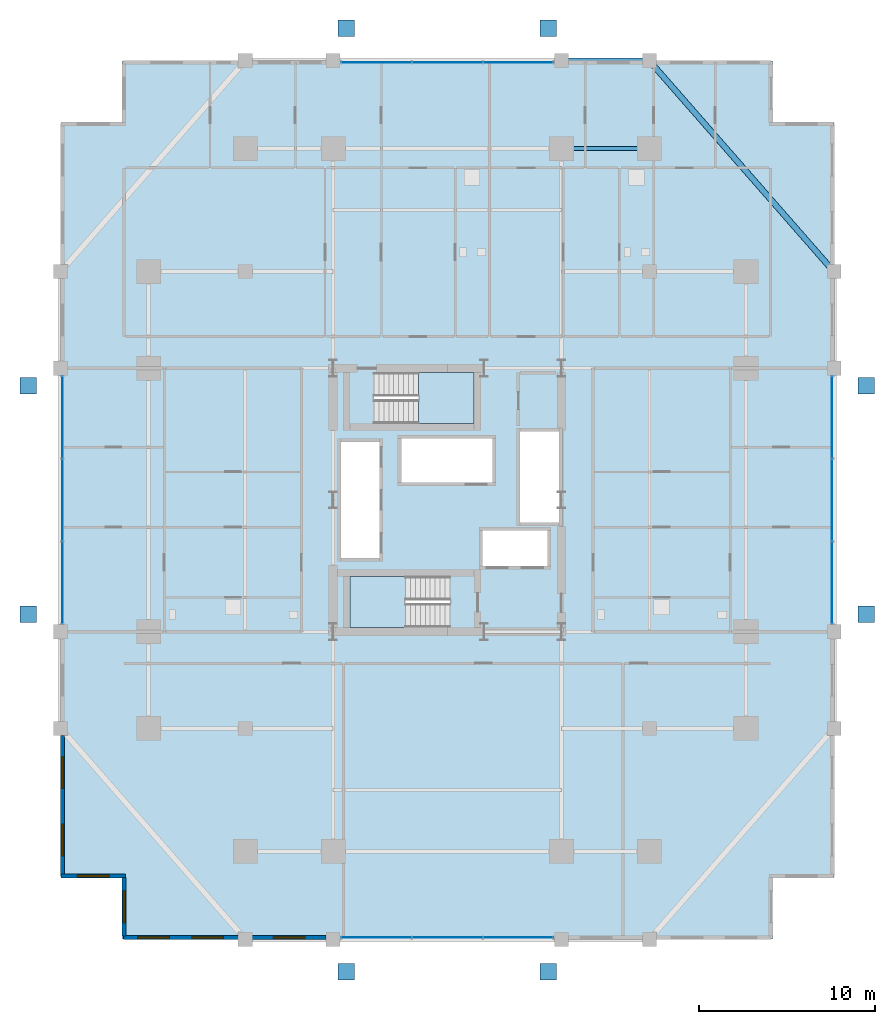
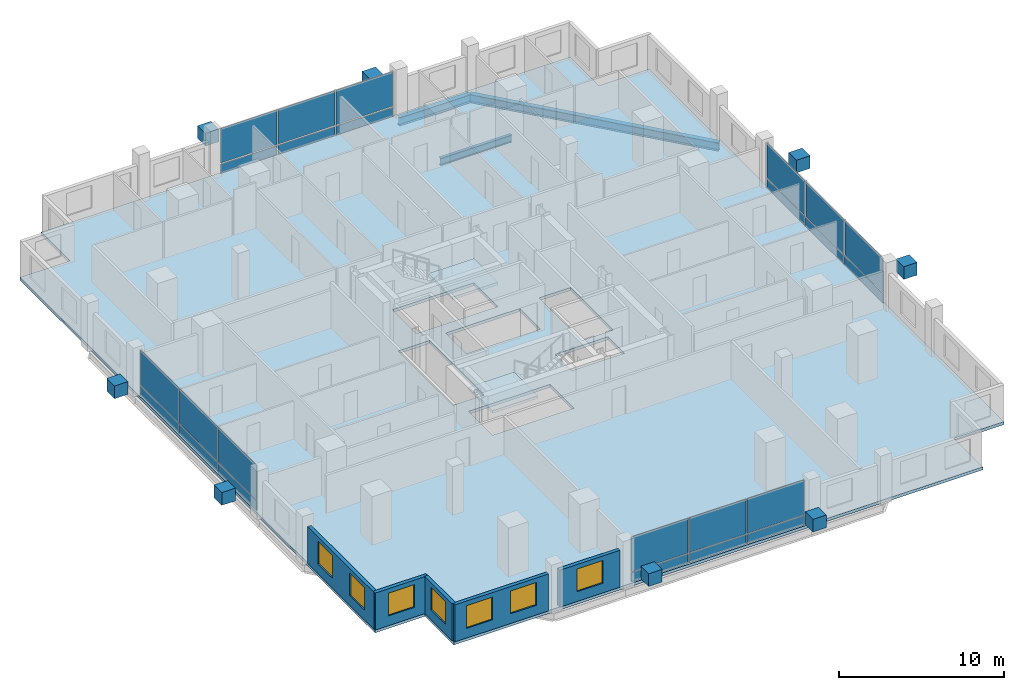
# One storey, part 16 of 23: 32 plates, 7 windows, 5 walls, 3 beams, 3 slabs, 7 openings, 6 elements without a shape of their own.
"""IFC4 building model written with IfcOpenShell, lengths in metres."""

from ifc_helpers import new_model, si_unit, direction, frame, frame_2d, origin, origin_2d, place, context, subcontext, project, spatial, polyline, rectangle, i_section, outline, extrude, material, layer, layer_set, material_profile, profile_set, type_object, element, fill, aggregate, save


model = new_model("IFC4")

# Units and contexts
model_context = context("Model", 3, precision=1e-05, world=origin(), true_north=direction((0.0, 1.0)))
body_context = subcontext(model_context, "Body", "Model", "MODEL_VIEW")
ifc_project = project(units=[si_unit("LENGTHUNIT", "METRE"), si_unit("AREAUNIT", "SQUARE_METRE"), si_unit("VOLUMEUNIT", "CUBIC_METRE"), si_unit("PLANEANGLEUNIT", "RADIAN"), si_unit("MASSUNIT", "GRAM", prefix="KILO")], contexts=[model_context])

# Site, building, storey
site_placement = place(None, origin())
site = spatial("IfcSite", under=ifc_project, at=site_placement, CompositionType="ELEMENT")
building_placement = place(site_placement, origin())
building = spatial("IfcBuilding", under=site, at=building_placement, Name="Barlavira Tower and Art Museum", CompositionType="ELEMENT")
storey_placement = place(building_placement, frame((0.0, 0.0, 64.800048828125)))
storey = spatial("IfcBuildingStorey", under=building, at=storey_placement, Name="L15", CompositionType="ELEMENT", Elevation=64.800048828125)

# Beams
ifc_material_1 = material(Name="Steel S355", Category="steel")
ifc_material_profile_1 = material_profile(ifc_material_1, i_section(OverallWidth=0.327880859375, OverallDepth=0.62890625, WebThickness=0.013916015625, FlangeThickness=0.021484375, at=origin_2d()), Name="W610x174.0")
ifc_profile_set_1 = profile_set([ifc_material_profile_1], Name="Steel S355")
beam_type_1 = type_object("IfcBeamType", Name="Perimeter Spandrel Edge Beam W610x174 Steel S355", PredefinedType="SPANDREL", material=ifc_profile_set_1)
beam_1_placement = place(storey_placement, frame((22.0, 13.0, -0.53466796875), z_axis=(-0.658504607869, 0.752576694707, 0.0), x_axis=(-0.752576694707, -0.658504607869, 0.0)))
element("IfcBeam", 1, at=beam_1_placement, inside=storey, type_object=beam_type_1, Name="L15 Spandrel 8", PredefinedType="SPANDREL", context=body_context, shape_type="SweptSolid", body=[
    extrude(i_section(OverallWidth=0.327880859375, OverallDepth=0.62890625, WebThickness=0.013916015625, FlangeThickness=0.021484375, at=origin_2d()), origin(), (0.0, 0.0, 1.0), 15.9453125),
])
beam_2_placement = place(storey_placement, frame((6.5, 25.0, -0.53466796875), z_axis=(1.0, 0.0, 0.0), x_axis=(0.0, 1.0, 0.0)))
element("IfcBeam", 2, at=beam_2_placement, inside=storey, type_object=beam_type_1, Name="L15 Spandrel 9", PredefinedType="SPANDREL", context=body_context, shape_type="SweptSolid", body=[
    extrude(i_section(OverallWidth=0.327880859375, OverallDepth=0.62890625, WebThickness=0.013916015625, FlangeThickness=0.021484375, at=origin_2d()), origin(), (0.0, 0.0, 1.0), 5.0),
])
ifc_material_profile_2 = material_profile(ifc_material_1, i_section(OverallWidth=0.214111328125, OverallDepth=0.549072265625, WebThickness=0.0146484375, FlangeThickness=0.023681640625, at=origin_2d()), Name="W530x138.0")
ifc_profile_set_2 = profile_set([ifc_material_profile_2], Name="Steel S355")
beam_type_2 = type_object("IfcBeamType", Name="Zone 1 Primary Floor Girder W530x138 Steel S355", PredefinedType="BEAM", material=ifc_profile_set_2)
beam_3_placement = place(storey_placement, frame((6.5, 20.0, -0.49462890625), z_axis=(1.0, 0.0, 0.0), x_axis=(0.0, 1.0, 0.0)))
element("IfcBeam", 3, at=beam_3_placement, inside=storey, type_object=beam_type_2, Name="L15 Girder M-N3", PredefinedType="BEAM", context=body_context, shape_type="SweptSolid", body=[
    extrude(i_section(OverallWidth=0.214111328125, OverallDepth=0.549072265625, WebThickness=0.0146484375, FlangeThickness=0.023681640625, at=origin_2d()), origin(), (0.0, 0.0, 1.0), 5.0),
])

# Curtain wall, plates
ifc_material_2 = material(Name="Low-iron coastal laminated glass", Category="glass")
ifc_layer_1 = layer(ifc_material_2, 0.179931640625, Name="Low-iron coastal laminated glass")
ifc_layer_set_1 = layer_set([ifc_layer_1], Name="Low-iron coastal laminated glass")
curtain_wall_type = type_object("IfcCurtainWallType", Name="Pale-Metal Unitised Curtain Wall Zone 1", PredefinedType="NOTDEFINED", material=ifc_layer_set_1)
curtain_wall_1_placement = place(storey_placement, origin())
curtain_wall_1 = element("IfcCurtainWall", 4, at=curtain_wall_1_placement, inside=storey, type_object=curtain_wall_type, Name="L15 Curtain Wall CW1-L15-S-B3", PredefinedType="NOTDEFINED")
ifc_material_3 = material(Name="Pale anodised aluminium", Category="aluminium")
ifc_layer_2 = layer(ifc_material_3, 0.044921875, Name="Pale anodised aluminium")
ifc_layer_set_2 = layer_set([ifc_layer_2], Name="Pale anodised aluminium")
plate_type_1 = type_object("IfcPlateType", Name="Curtain Wall Pale-Metal Spandrel Panel 45", PredefinedType="CURTAIN_PANEL", material=ifc_layer_set_2)
plate_1_placement = place(storey_placement, frame((-4.05322265625, -24.89990234375, 0.0400390625), z_axis=(0.0, 0.0, 1.0), x_axis=(1.0, 0.0, 0.0)))
plate_1 = element("IfcPlate", 5, at=plate_1_placement, type_object=plate_type_1, Name="CW1-L15-S-B3 Spandrel Panel 0", PredefinedType="CURTAIN_PANEL", context=body_context, shape_type="SweptSolid", body=[
    extrude(rectangle(XDim=3.953369140625, YDim=0.044921875, at=origin_2d()), origin(), (0.0, 0.0, 1.0), 0.6640625),
])
plate_2_placement = place(storey_placement, frame((0.0, -24.89990234375, 0.0400390625), z_axis=(0.0, 0.0, 1.0), x_axis=(1.0, 0.0, 0.0)))
plate_2 = element("IfcPlate", 6, at=plate_2_placement, type_object=plate_type_1, Name="CW1-L15-S-B3 Spandrel Panel 1", PredefinedType="CURTAIN_PANEL", context=body_context, shape_type="SweptSolid", body=[
    extrude(rectangle(XDim=3.953369140625, YDim=0.044921875, at=origin_2d()), origin(), (0.0, 0.0, 1.0), 0.6640625),
])
plate_3_placement = place(storey_placement, frame((4.05322265625, -24.89990234375, 0.0400390625), z_axis=(0.0, 0.0, 1.0), x_axis=(1.0, 0.0, 0.0)))
plate_3 = element("IfcPlate", 7, at=plate_3_placement, type_object=plate_type_1, Name="CW1-L15-S-B3 Spandrel Panel 2", PredefinedType="CURTAIN_PANEL", context=body_context, shape_type="SweptSolid", body=[
    extrude(rectangle(XDim=3.953369140625, YDim=0.044921875, at=origin_2d()), origin(), (0.0, 0.0, 1.0), 0.6640625),
])

curtain_wall_2_placement = place(storey_placement, origin())
curtain_wall_2 = element("IfcCurtainWall", 8, at=curtain_wall_2_placement, inside=storey, type_object=curtain_wall_type, Name="L15 Curtain Wall CW1-L15-N-B3", PredefinedType="NOTDEFINED")
plate_4_placement = place(storey_placement, frame((4.05322265625, 24.89990234375, 0.0400390625), z_axis=(0.0, 0.0, 1.0), x_axis=(-1.0, 0.0, 0.0)))
plate_4 = element("IfcPlate", 9, at=plate_4_placement, type_object=plate_type_1, Name="CW1-L15-N-B3 Spandrel Panel 0", PredefinedType="CURTAIN_PANEL", context=body_context, shape_type="SweptSolid", body=[
    extrude(rectangle(XDim=3.953369140625, YDim=0.044921875, at=origin_2d()), origin(), (0.0, 0.0, 1.0), 0.6640625),
])
plate_5_placement = place(storey_placement, frame((0.0, 24.89990234375, 0.0400390625), z_axis=(0.0, 0.0, 1.0), x_axis=(-1.0, 0.0, 0.0)))
plate_5 = element("IfcPlate", 10, at=plate_5_placement, type_object=plate_type_1, Name="CW1-L15-N-B3 Spandrel Panel 1", PredefinedType="CURTAIN_PANEL", context=body_context, shape_type="SweptSolid", body=[
    extrude(rectangle(XDim=3.953369140625, YDim=0.044921875, at=origin_2d()), origin(), (0.0, 0.0, 1.0), 0.6640625),
])
plate_6_placement = place(storey_placement, frame((-4.05322265625, 24.89990234375, 0.0400390625), z_axis=(0.0, 0.0, 1.0), x_axis=(-1.0, 0.0, 0.0)))
plate_6 = element("IfcPlate", 11, at=plate_6_placement, type_object=plate_type_1, Name="CW1-L15-N-B3 Spandrel Panel 2", PredefinedType="CURTAIN_PANEL", context=body_context, shape_type="SweptSolid", body=[
    extrude(rectangle(XDim=3.953369140625, YDim=0.044921875, at=origin_2d()), origin(), (0.0, 0.0, 1.0), 0.6640625),
])

curtain_wall_3_placement = place(storey_placement, origin())
curtain_wall_3 = element("IfcCurtainWall", 12, at=curtain_wall_3_placement, inside=storey, type_object=curtain_wall_type, Name="L15 Curtain Wall CW1-L15-W-B3", PredefinedType="NOTDEFINED")
plate_7_placement = place(storey_placement, frame((-21.89990234375, 4.719970703125, 0.0400390625), z_axis=(0.0, 0.0, 1.0), x_axis=(0.0, -1.0, 0.0)))
plate_7 = element("IfcPlate", 13, at=plate_7_placement, type_object=plate_type_1, Name="CW1-L15-W-B3 Spandrel Panel 0", PredefinedType="CURTAIN_PANEL", context=body_context, shape_type="SweptSolid", body=[
    extrude(rectangle(XDim=4.6201171875, YDim=0.044921875, at=origin_2d()), origin(), (0.0, 0.0, 1.0), 0.6640625),
])
plate_8_placement = place(storey_placement, frame((-21.89990234375, 0.0, 0.0400390625), z_axis=(0.0, 0.0, 1.0), x_axis=(0.0, -1.0, 0.0)))
plate_8 = element("IfcPlate", 14, at=plate_8_placement, type_object=plate_type_1, Name="CW1-L15-W-B3 Spandrel Panel 1", PredefinedType="CURTAIN_PANEL", context=body_context, shape_type="SweptSolid", body=[
    extrude(rectangle(XDim=4.6201171875, YDim=0.044921875, at=origin_2d()), origin(), (0.0, 0.0, 1.0), 0.6640625),
])
plate_9_placement = place(storey_placement, frame((-21.89990234375, -4.719970703125, 0.0400390625), z_axis=(0.0, 0.0, 1.0), x_axis=(0.0, -1.0, 0.0)))
plate_9 = element("IfcPlate", 15, at=plate_9_placement, type_object=plate_type_1, Name="CW1-L15-W-B3 Spandrel Panel 2", PredefinedType="CURTAIN_PANEL", context=body_context, shape_type="SweptSolid", body=[
    extrude(rectangle(XDim=4.6201171875, YDim=0.044921875, at=origin_2d()), origin(), (0.0, 0.0, 1.0), 0.6640625),
])

curtain_wall_4_placement = place(storey_placement, origin())
curtain_wall_4 = element("IfcCurtainWall", 16, at=curtain_wall_4_placement, inside=storey, type_object=curtain_wall_type, Name="L15 Curtain Wall CW1-L15-E-B3", PredefinedType="NOTDEFINED")
plate_10_placement = place(storey_placement, frame((21.89990234375, -4.719970703125, 0.0400390625), z_axis=(0.0, 0.0, 1.0), x_axis=(0.0, 1.0, 0.0)))
plate_10 = element("IfcPlate", 17, at=plate_10_placement, type_object=plate_type_1, Name="CW1-L15-E-B3 Spandrel Panel 0", PredefinedType="CURTAIN_PANEL", context=body_context, shape_type="SweptSolid", body=[
    extrude(rectangle(XDim=4.6201171875, YDim=0.044921875, at=origin_2d()), origin(), (0.0, 0.0, 1.0), 0.6640625),
])
plate_11_placement = place(storey_placement, frame((21.89990234375, 0.0, 0.0400390625), z_axis=(0.0, 0.0, 1.0), x_axis=(0.0, 1.0, 0.0)))
plate_11 = element("IfcPlate", 18, at=plate_11_placement, type_object=plate_type_1, Name="CW1-L15-E-B3 Spandrel Panel 1", PredefinedType="CURTAIN_PANEL", context=body_context, shape_type="SweptSolid", body=[
    extrude(rectangle(XDim=4.6201171875, YDim=0.044921875, at=origin_2d()), origin(), (0.0, 0.0, 1.0), 0.6640625),
])
plate_12_placement = place(storey_placement, frame((21.89990234375, 4.719970703125, 0.0400390625), z_axis=(0.0, 0.0, 1.0), x_axis=(0.0, 1.0, 0.0)))
plate_12 = element("IfcPlate", 19, at=plate_12_placement, type_object=plate_type_1, Name="CW1-L15-E-B3 Spandrel Panel 2", PredefinedType="CURTAIN_PANEL", context=body_context, shape_type="SweptSolid", body=[
    extrude(rectangle(XDim=4.6201171875, YDim=0.044921875, at=origin_2d()), origin(), (0.0, 0.0, 1.0), 0.6640625),
])

# Plate
ifc_layer_3 = layer(ifc_material_2, 0.028076171875, Name="Low-iron coastal laminated glass")
ifc_layer_set_3 = layer_set([ifc_layer_3], Name="Low-iron coastal laminated glass")
plate_type_2 = type_object("IfcPlateType", Name="Curtain Wall Vision Glazing Panel 28", PredefinedType="CURTAIN_PANEL", material=ifc_layer_set_3)
plate_13_placement = place(storey_placement, frame((-4.05322265625, -24.89990234375, 0.7841796875), z_axis=(0.0, 0.0, 1.0), x_axis=(1.0, 0.0, 0.0)))
plate_13 = element("IfcPlate", 20, at=plate_13_placement, type_object=plate_type_2, Name="CW1-L15-S-B3 Vision Glass Panel 0", PredefinedType="CURTAIN_PANEL", context=body_context, shape_type="SweptSolid", body=[
    extrude(rectangle(XDim=3.953369140625, YDim=0.028076171875, at=origin_2d()), origin(), (0.0, 0.0, 1.0), 2.555908203125),
])

plate_14_placement = place(storey_placement, frame((0.0, -24.89990234375, 0.7841796875), z_axis=(0.0, 0.0, 1.0), x_axis=(1.0, 0.0, 0.0)))
plate_14 = element("IfcPlate", 21, at=plate_14_placement, type_object=plate_type_2, Name="CW1-L15-S-B3 Vision Glass Panel 1", PredefinedType="CURTAIN_PANEL", context=body_context, shape_type="SweptSolid", body=[
    extrude(rectangle(XDim=3.953369140625, YDim=0.028076171875, at=origin_2d()), origin(), (0.0, 0.0, 1.0), 2.555908203125),
])

plate_15_placement = place(storey_placement, frame((4.05322265625, -24.89990234375, 0.7841796875), z_axis=(0.0, 0.0, 1.0), x_axis=(1.0, 0.0, 0.0)))
plate_15 = element("IfcPlate", 22, at=plate_15_placement, type_object=plate_type_2, Name="CW1-L15-S-B3 Vision Glass Panel 2", PredefinedType="CURTAIN_PANEL", context=body_context, shape_type="SweptSolid", body=[
    extrude(rectangle(XDim=3.953369140625, YDim=0.028076171875, at=origin_2d()), origin(), (0.0, 0.0, 1.0), 2.555908203125),
])

aggregate(curtain_wall_1, [plate_1, plate_13, plate_2, plate_14, plate_3, plate_15])

plate_16_placement = place(storey_placement, frame((4.05322265625, 24.89990234375, 0.7841796875), z_axis=(0.0, 0.0, 1.0), x_axis=(-1.0, 0.0, 0.0)))
plate_16 = element("IfcPlate", 23, at=plate_16_placement, type_object=plate_type_2, Name="CW1-L15-N-B3 Vision Glass Panel 0", PredefinedType="CURTAIN_PANEL", context=body_context, shape_type="SweptSolid", body=[
    extrude(rectangle(XDim=3.953369140625, YDim=0.028076171875, at=origin_2d()), origin(), (0.0, 0.0, 1.0), 2.555908203125),
])

plate_17_placement = place(storey_placement, frame((0.0, 24.89990234375, 0.7841796875), z_axis=(0.0, 0.0, 1.0), x_axis=(-1.0, 0.0, 0.0)))
plate_17 = element("IfcPlate", 24, at=plate_17_placement, type_object=plate_type_2, Name="CW1-L15-N-B3 Vision Glass Panel 1", PredefinedType="CURTAIN_PANEL", context=body_context, shape_type="SweptSolid", body=[
    extrude(rectangle(XDim=3.953369140625, YDim=0.028076171875, at=origin_2d()), origin(), (0.0, 0.0, 1.0), 2.555908203125),
])

plate_18_placement = place(storey_placement, frame((-4.05322265625, 24.89990234375, 0.7841796875), z_axis=(0.0, 0.0, 1.0), x_axis=(-1.0, 0.0, 0.0)))
plate_18 = element("IfcPlate", 25, at=plate_18_placement, type_object=plate_type_2, Name="CW1-L15-N-B3 Vision Glass Panel 2", PredefinedType="CURTAIN_PANEL", context=body_context, shape_type="SweptSolid", body=[
    extrude(rectangle(XDim=3.953369140625, YDim=0.028076171875, at=origin_2d()), origin(), (0.0, 0.0, 1.0), 2.555908203125),
])

aggregate(curtain_wall_2, [plate_4, plate_16, plate_5, plate_17, plate_6, plate_18])

plate_19_placement = place(storey_placement, frame((-21.89990234375, 4.719970703125, 0.7841796875), z_axis=(0.0, 0.0, 1.0), x_axis=(0.0, -1.0, 0.0)))
plate_19 = element("IfcPlate", 26, at=plate_19_placement, type_object=plate_type_2, Name="CW1-L15-W-B3 Vision Glass Panel 0", PredefinedType="CURTAIN_PANEL", context=body_context, shape_type="SweptSolid", body=[
    extrude(rectangle(XDim=4.6201171875, YDim=0.028076171875, at=origin_2d()), origin(), (0.0, 0.0, 1.0), 2.555908203125),
])

plate_20_placement = place(storey_placement, frame((-21.89990234375, 0.0, 0.7841796875), z_axis=(0.0, 0.0, 1.0), x_axis=(0.0, -1.0, 0.0)))
plate_20 = element("IfcPlate", 27, at=plate_20_placement, type_object=plate_type_2, Name="CW1-L15-W-B3 Vision Glass Panel 1", PredefinedType="CURTAIN_PANEL", context=body_context, shape_type="SweptSolid", body=[
    extrude(rectangle(XDim=4.6201171875, YDim=0.028076171875, at=origin_2d()), origin(), (0.0, 0.0, 1.0), 2.555908203125),
])

plate_21_placement = place(storey_placement, frame((-21.89990234375, -4.719970703125, 0.7841796875), z_axis=(0.0, 0.0, 1.0), x_axis=(0.0, -1.0, 0.0)))
plate_21 = element("IfcPlate", 28, at=plate_21_placement, type_object=plate_type_2, Name="CW1-L15-W-B3 Vision Glass Panel 2", PredefinedType="CURTAIN_PANEL", context=body_context, shape_type="SweptSolid", body=[
    extrude(rectangle(XDim=4.6201171875, YDim=0.028076171875, at=origin_2d()), origin(), (0.0, 0.0, 1.0), 2.555908203125),
])

aggregate(curtain_wall_3, [plate_7, plate_19, plate_8, plate_20, plate_9, plate_21])

plate_22_placement = place(storey_placement, frame((21.89990234375, -4.719970703125, 0.7841796875), z_axis=(0.0, 0.0, 1.0), x_axis=(0.0, 1.0, 0.0)))
plate_22 = element("IfcPlate", 29, at=plate_22_placement, type_object=plate_type_2, Name="CW1-L15-E-B3 Vision Glass Panel 0", PredefinedType="CURTAIN_PANEL", context=body_context, shape_type="SweptSolid", body=[
    extrude(rectangle(XDim=4.6201171875, YDim=0.028076171875, at=origin_2d()), origin(), (0.0, 0.0, 1.0), 2.555908203125),
])

plate_23_placement = place(storey_placement, frame((21.89990234375, 0.0, 0.7841796875), z_axis=(0.0, 0.0, 1.0), x_axis=(0.0, 1.0, 0.0)))
plate_23 = element("IfcPlate", 30, at=plate_23_placement, type_object=plate_type_2, Name="CW1-L15-E-B3 Vision Glass Panel 1", PredefinedType="CURTAIN_PANEL", context=body_context, shape_type="SweptSolid", body=[
    extrude(rectangle(XDim=4.6201171875, YDim=0.028076171875, at=origin_2d()), origin(), (0.0, 0.0, 1.0), 2.555908203125),
])

plate_24_placement = place(storey_placement, frame((21.89990234375, 4.719970703125, 0.7841796875), z_axis=(0.0, 0.0, 1.0), x_axis=(0.0, 1.0, 0.0)))
plate_24 = element("IfcPlate", 31, at=plate_24_placement, type_object=plate_type_2, Name="CW1-L15-E-B3 Vision Glass Panel 2", PredefinedType="CURTAIN_PANEL", context=body_context, shape_type="SweptSolid", body=[
    extrude(rectangle(XDim=4.6201171875, YDim=0.028076171875, at=origin_2d()), origin(), (0.0, 0.0, 1.0), 2.555908203125),
])

aggregate(curtain_wall_4, [plate_10, plate_22, plate_11, plate_23, plate_12, plate_24])

# Plates
ifc_layer_4 = layer(ifc_material_1, 0.93994140625, Name="Steel S355")
ifc_layer_set_4 = layer_set([ifc_layer_4], Name="Steel S355")
plate_type_3 = type_object("IfcPlateType", Name="Exoskeleton Solid Steel Node Cap Plate Assembly Type 1 Steel S355", PredefinedType="USERDEFINED", material=ifc_layer_set_4)
for number, where, z_axis, x_axis, name in (
    (32, (-5.75, -26.85009765625, 1.2099609375), (0.0, 0.0, 1.0), (1.0, 0.0, 0.0), "Exoskeleton Diamond Node S1 ND-L15-0112"),
    (33, (5.75, -26.85009765625, 1.2099609375), (0.0, 0.0, 1.0), (1.0, 0.0, 0.0), "Exoskeleton Diamond Node S2 ND-L15-0113"),
    (34, (-5.75, 26.85009765625, 1.2099609375), (0.0, 0.0, 1.0), (1.0, 0.0, 0.0), "Exoskeleton Diamond Node N1 ND-L15-0120"),
    (35, (5.75, 26.85009765625, 1.2099609375), (0.0, 0.0, 1.0), (1.0, 0.0, 0.0), "Exoskeleton Diamond Node N2 ND-L15-0121"),
    (36, (-23.85009765625, -6.5, 1.2099609375), (0.0, 0.0, 1.0), (1.0, 0.0, 0.0), "Exoskeleton Diamond Node W1 ND-L15-0128"),
    (37, (-23.85009765625, 6.5, 1.2099609375), (0.0, 0.0, 1.0), (1.0, 0.0, 0.0), "Exoskeleton Diamond Node W2 ND-L15-0129"),
    (38, (23.85009765625, -6.5, 1.2099609375), (0.0, 0.0, 1.0), (1.0, 0.0, 0.0), "Exoskeleton Diamond Node E1 ND-L15-0136"),
    (39, (23.85009765625, 6.5, 1.2099609375), (0.0, 0.0, 1.0), (1.0, 0.0, 0.0), "Exoskeleton Diamond Node E2 ND-L15-0137"),
):
    element("IfcPlate", number, at=place(storey_placement, frame(where, z_axis=z_axis, x_axis=x_axis)), inside=storey, type_object=plate_type_3, Name=name, ObjectType="FLANGE_PLATE", PredefinedType="USERDEFINED", context=body_context, shape_type="SweptSolid", body=[
        extrude(rectangle(XDim=0.93994140625, YDim=0.93994140625, at=origin_2d()), origin(), (0.0, 0.0, 1.0), 0.93994140625),
    ])

# Stair, slab
ifc_material_4 = material(Name="Concrete C45", Category="concrete")
stair_type_1 = type_object("IfcStairType", Name="Tower North Dog-Leg Exit Stair Assembly Concrete C45", PredefinedType="TWO_QUARTER_TURN_STAIR", material=ifc_material_4)
stair_1_placement = place(storey_placement, origin())
stair_1 = element("IfcStair", 40, at=stair_1_placement, inside=storey, type_object=stair_type_1, Name="L15 Tower North Exit Stair ST-T2", PredefinedType="TWO_QUARTER_TURN_STAIR")
ifc_layer_5 = layer(ifc_material_4, 0.199951171875, Name="Concrete C45")
ifc_layer_set_5 = layer_set([ifc_layer_5], Name="Concrete C45")
slab_type_1 = type_object("IfcSlabType", Name="Tower North Dog-Leg Exit Stair Half-Landing Slab 200 Concrete C45", PredefinedType="LANDING", material=ifc_layer_set_5)
slab_1_placement = place(storey_placement, frame((0.0, 0.0, 1.599853515625)))
slab_1 = element("IfcSlab", 41, at=slab_1_placement, type_object=slab_type_1, Name="ST-T2 landing 1", PredefinedType="LANDING", context=body_context, shape_type="SweptSolid", body=[
    extrude(outline(polyline([(-1.64990234375, 4.35009765625), (1.530029296875, 4.35009765625), (1.530029296875, 7.25), (-1.64990234375, 7.25), (-1.64990234375, 4.35009765625)])), origin(), (0.0, 0.0, 1.0), 0.2001953125),
])
aggregate(stair_1, [slab_1])

stair_type_2 = type_object("IfcStairType", Name="Tower South Dog-Leg Exit Stair Assembly Concrete C45", PredefinedType="TWO_QUARTER_TURN_STAIR", material=ifc_material_4)
stair_2_placement = place(storey_placement, origin())
stair_2 = element("IfcStair", 42, at=stair_2_placement, inside=storey, type_object=stair_type_2, Name="L15 Tower South Exit Stair ST-T1", PredefinedType="TWO_QUARTER_TURN_STAIR")
ifc_layer_6 = layer(ifc_material_4, 0.199951171875, Name="Concrete C45")
ifc_layer_set_6 = layer_set([ifc_layer_6], Name="Concrete C45")
slab_type_2 = type_object("IfcSlabType", Name="Tower South Dog-Leg Exit Stair Half-Landing Slab 200 Concrete C45", PredefinedType="LANDING", material=ifc_layer_set_6)
slab_2_placement = place(storey_placement, frame((0.0, 0.0, 1.599853515625)))
slab_2 = element("IfcSlab", 43, at=slab_2_placement, type_object=slab_type_2, Name="ST-T1 landing 1", PredefinedType="LANDING", context=body_context, shape_type="SweptSolid", body=[
    extrude(outline(polyline([(-2.3701171875, -4.35009765625), (-5.550048828125, -4.35009765625), (-5.550048828125, -7.25), (-2.3701171875, -7.25), (-2.3701171875, -4.35009765625)])), origin(), (0.0, 0.0, 1.0), 0.2001953125),
])
aggregate(stair_2, [slab_2])

# Slab
ifc_material_5 = material(Name="Concrete C50", Category="concrete")
ifc_layer_7 = layer(ifc_material_5, 0.219970703125, Name="Concrete C50")
ifc_layer_set_7 = layer_set([ifc_layer_7], Name="Concrete C50")
slab_type_3 = type_object("IfcSlabType", Name="Zone 1 Residential Composite Slab 220 Concrete C50", PredefinedType="FLOOR", material=ifc_layer_set_7)
slab_3_placement = place(storey_placement, frame((0.0, 0.0, -0.219970703125)))
element("IfcSlab", 44, at=slab_3_placement, inside=storey, type_object=slab_type_3, Name="L15 Tower Floor Slab", PredefinedType="FLOOR", context=body_context, shape_type="SweptSolid", body=[
    extrude(outline(polyline([(-18.5, -25.0), (18.5, -25.0), (18.5, -21.5), (22.0, -21.5), (22.0, 21.5), (18.5, 21.5), (18.5, 25.0), (-18.5, 25.0), (-18.5, 21.5), (-22.0, 21.5), (-22.0, -21.5), (-18.5, -21.5), (-18.5, -25.0)]), holes=[polyline([(0.14990234375, -4.35009765625), (-5.550048828125, -4.35009765625), (-5.550048828125, -7.25), (0.14990234375, -7.25), (0.14990234375, -4.35009765625)]), polyline([(-4.169921875, 4.35009765625), (1.530029296875, 4.35009765625), (1.530029296875, 7.25), (-4.169921875, 7.25), (-4.169921875, 4.35009765625)]), polyline([(-6.050048828125, -3.31005859375), (-3.85009765625, -3.31005859375), (-3.85009765625, 3.31005859375), (-6.050048828125, 3.31005859375), (-6.050048828125, -3.31005859375)]), polyline([(4.14990234375, -1.2900390625), (6.35009765625, -1.2900390625), (6.35009765625, 3.889892578125), (4.14990234375, 3.889892578125), (4.14990234375, -1.2900390625)]), polyline([(-2.6201171875, 1.0), (2.56005859375, 1.0), (2.56005859375, 3.5), (-2.6201171875, 3.5), (-2.6201171875, 1.0)]), polyline([(2.0, -3.75), (5.699951171875, -3.75), (5.699951171875, -1.75), (2.0, -1.75), (2.0, -3.75)])]), origin(), (0.0, 0.0, 1.0), 0.219970703125),
])

# Wall, openings, windows
ifc_material_6 = material(Name="Precast concrete C40", Category="concrete")
ifc_layer_8 = layer(ifc_material_6, 0.25, Name="Precast concrete C40")
ifc_layer_set_8 = layer_set([ifc_layer_8], Name="Precast concrete C40")
wall_type = type_object("IfcWallType", Name="Notched Corner Spandrel Wall 250 Precast Concrete C40", PredefinedType="SOLIDWALL", material=ifc_layer_set_8)
wall_1_placement = place(storey_placement, frame((-18.425048828125, -24.89990234375, 0.0), z_axis=(0.0, 0.0, 1.0), x_axis=(1.0, 0.0, 0.0)))
wall_1 = element("IfcWall", 45, at=wall_1_placement, inside=storey, type_object=wall_type, Name="L15 Coastal Facade Pier Wall CW1-L15-S-1", PredefinedType="SOLIDWALL", context=body_context, shape_type="SweptSolid", body=[
    extrude(rectangle(XDim=6.530029296875, YDim=0.25, at=frame_2d((3.26513671875, 0.0))), origin(), (0.0, 0.0, 1.0), 2.73583984375),
])
opening_1_placement = place(wall_1_placement, frame((0.801025390625, 0.0, 0.719970703125)))
opening_1 = element("IfcOpeningElement", 46, at=opening_1_placement, cuts=wall_1, Name="Opening WN-01", PredefinedType="OPENING", context=body_context, shape_type="SweptSolid", body=[
    extrude(rectangle(XDim=1.800048828125, YDim=1.679931640625, at=frame_2d((0.89990234375, 0.83984375))), frame((0.0, 0.135009765625, 0.0), z_axis=(0.0, -1.0, 0.0), x_axis=(1.0, 0.0, 0.0)), (0.0, 0.0, 1.0), 0.27001953125),
])
opening_2_placement = place(wall_1_placement, frame((3.884033203125, 0.0, 0.719970703125)))
opening_2 = element("IfcOpeningElement", 47, at=opening_2_placement, cuts=wall_1, Name="Opening WN-01", PredefinedType="OPENING", context=body_context, shape_type="SweptSolid", body=[
    extrude(rectangle(XDim=1.800048828125, YDim=1.679931640625, at=frame_2d((0.89990234375, 0.83984375))), frame((0.0, 0.135009765625, 0.0), z_axis=(0.0, -1.0, 0.0), x_axis=(1.0, 0.0, 0.0)), (0.0, 0.0, 1.0), 0.27001953125),
])
window_type = type_object("IfcWindowType", Name="Recessed Notch Corner Punch Window 1800x1680", PartitioningType="SINGLE_PANEL", PredefinedType="WINDOW", material=ifc_material_2)
window_1_placement = place(opening_1_placement, origin())
window_1 = element("IfcWindow", 48, at=window_1_placement, inside=storey, type_object=window_type, Name="L15 Punched Facade Window EWP-CW1-L15-S-1-1", OverallHeight=1.679931640625, OverallWidth=1.800048828125, PartitioningType="SINGLE_PANEL", PredefinedType="WINDOW", context=body_context, shape_type="SweptSolid", body=[
    extrude(rectangle(XDim=1.800048828125, YDim=1.679931640625, at=frame_2d((0.89990234375, 0.83984375))), frame((0.0, 0.030029296875, 0.0), z_axis=(0.0, -1.0, 0.0), x_axis=(1.0, 0.0, 0.0)), (0.0, 0.0, 1.0), 0.06005859375),
])
fill(opening_1, window_1)
window_2_placement = place(opening_2_placement, origin())
window_2 = element("IfcWindow", 49, at=window_2_placement, inside=storey, type_object=window_type, Name="L15 Punched Facade Window EWP-CW1-L15-S-1-2", OverallHeight=1.679931640625, OverallWidth=1.800048828125, PartitioningType="SINGLE_PANEL", PredefinedType="WINDOW", context=body_context, shape_type="SweptSolid", body=[
    extrude(rectangle(XDim=1.800048828125, YDim=1.679931640625, at=frame_2d((0.89990234375, 0.83984375))), frame((0.0, 0.030029296875, 0.0), z_axis=(0.0, -1.0, 0.0), x_axis=(1.0, 0.0, 0.0)), (0.0, 0.0, 1.0), 0.06005859375),
])
fill(opening_2, window_2)

# Wall, opening, window
wall_2_placement = place(storey_placement, frame((-11.10498046875, -24.89990234375, 0.0), z_axis=(0.0, 0.0, 1.0), x_axis=(1.0, 0.0, 0.0)))
wall_2 = element("IfcWall", 50, at=wall_2_placement, inside=storey, type_object=wall_type, Name="L15 Coastal Facade Pier Wall CW1-L15-S-2", PredefinedType="SOLIDWALL", context=body_context, shape_type="SweptSolid", body=[
    extrude(rectangle(XDim=4.2099609375, YDim=0.25, at=frame_2d((2.10498046875, 0.0))), origin(), (0.0, 0.0, 1.0), 2.73583984375),
])
opening_3_placement = place(wall_2_placement, frame((1.205078125, 0.0, 0.719970703125)))
opening_3 = element("IfcOpeningElement", 51, at=opening_3_placement, cuts=wall_2, Name="Opening WN-01", PredefinedType="OPENING", context=body_context, shape_type="SweptSolid", body=[
    extrude(rectangle(XDim=1.800048828125, YDim=1.679931640625, at=frame_2d((0.89990234375, 0.83984375))), frame((0.0, 0.135009765625, 0.0), z_axis=(0.0, -1.0, 0.0), x_axis=(1.0, 0.0, 0.0)), (0.0, 0.0, 1.0), 0.27001953125),
])
window_3_placement = place(opening_3_placement, origin())
window_3 = element("IfcWindow", 52, at=window_3_placement, inside=storey, type_object=window_type, Name="L15 Punched Facade Window EWP-CW1-L15-S-2-1", OverallHeight=1.679931640625, OverallWidth=1.800048828125, PartitioningType="SINGLE_PANEL", PredefinedType="WINDOW", context=body_context, shape_type="SweptSolid", body=[
    extrude(rectangle(XDim=1.800048828125, YDim=1.679931640625, at=frame_2d((0.89990234375, 0.83984375))), frame((0.0, 0.030029296875, 0.0), z_axis=(0.0, -1.0, 0.0), x_axis=(1.0, 0.0, 0.0)), (0.0, 0.0, 1.0), 0.06005859375),
])
fill(opening_3, window_3)

# Wall, openings, windows
wall_3_placement = place(storey_placement, frame((-21.89990234375, -13.39501953125, 0.0), z_axis=(0.0, 0.0, 1.0), x_axis=(0.0, -1.0, 0.0)))
wall_3 = element("IfcWall", 53, at=wall_3_placement, inside=storey, type_object=wall_type, Name="L15 Coastal Facade Pier Wall CW1-L15-W-5", PredefinedType="SOLIDWALL", context=body_context, shape_type="SweptSolid", body=[
    extrude(rectangle(XDim=8.030029296875, YDim=0.25, at=frame_2d((4.01513671875, 0.0))), origin(), (0.0, 0.0, 1.0), 2.73583984375),
])
opening_4_placement = place(wall_3_placement, frame((1.220947265625, 0.0, 0.719970703125)))
opening_4 = element("IfcOpeningElement", 54, at=opening_4_placement, cuts=wall_3, Name="Opening WN-01", PredefinedType="OPENING", context=body_context, shape_type="SweptSolid", body=[
    extrude(rectangle(XDim=1.800048828125, YDim=1.679931640625, at=frame_2d((0.89990234375, 0.83984375))), frame((0.0, 0.135009765625, 0.0), z_axis=(0.0, -1.0, 0.0), x_axis=(1.0, 0.0, 0.0)), (0.0, 0.0, 1.0), 0.27001953125),
])
opening_5_placement = place(wall_3_placement, frame((5.053955078125, 0.0, 0.719970703125)))
opening_5 = element("IfcOpeningElement", 55, at=opening_5_placement, cuts=wall_3, Name="Opening WN-01", PredefinedType="OPENING", context=body_context, shape_type="SweptSolid", body=[
    extrude(rectangle(XDim=1.800048828125, YDim=1.679931640625, at=frame_2d((0.89990234375, 0.83984375))), frame((0.0, 0.135009765625, 0.0), z_axis=(0.0, -1.0, 0.0), x_axis=(1.0, 0.0, 0.0)), (0.0, 0.0, 1.0), 0.27001953125),
])
window_4_placement = place(opening_4_placement, origin())
window_4 = element("IfcWindow", 56, at=window_4_placement, inside=storey, type_object=window_type, Name="L15 Punched Facade Window EWP-CW1-L15-W-5-1", OverallHeight=1.679931640625, OverallWidth=1.800048828125, PartitioningType="SINGLE_PANEL", PredefinedType="WINDOW", context=body_context, shape_type="SweptSolid", body=[
    extrude(rectangle(XDim=1.800048828125, YDim=1.679931640625, at=frame_2d((0.89990234375, 0.83984375))), frame((0.0, 0.030029296875, 0.0), z_axis=(0.0, -1.0, 0.0), x_axis=(1.0, 0.0, 0.0)), (0.0, 0.0, 1.0), 0.06005859375),
])
fill(opening_4, window_4)
window_5_placement = place(opening_5_placement, origin())
window_5 = element("IfcWindow", 57, at=window_5_placement, inside=storey, type_object=window_type, Name="L15 Punched Facade Window EWP-CW1-L15-W-5-2", OverallHeight=1.679931640625, OverallWidth=1.800048828125, PartitioningType="SINGLE_PANEL", PredefinedType="WINDOW", context=body_context, shape_type="SweptSolid", body=[
    extrude(rectangle(XDim=1.800048828125, YDim=1.679931640625, at=frame_2d((0.89990234375, 0.83984375))), frame((0.0, 0.030029296875, 0.0), z_axis=(0.0, -1.0, 0.0), x_axis=(1.0, 0.0, 0.0)), (0.0, 0.0, 1.0), 0.06005859375),
])
fill(opening_5, window_5)

# Wall, opening, window
wall_4_placement = place(storey_placement, frame((-21.97998046875, -21.39990234375, 0.0), z_axis=(0.0, 0.0, 1.0), x_axis=(1.0, 0.0, 0.0)))
wall_4 = element("IfcWall", 58, at=wall_4_placement, inside=storey, type_object=wall_type, Name="L15 Notch Corner Wall SW1", PredefinedType="SOLIDWALL", context=body_context, shape_type="SweptSolid", body=[
    extrude(rectangle(XDim=3.659912109375, YDim=0.25, at=frame_2d((1.830078125, 0.0))), origin(), (0.0, 0.0, 1.0), 2.73583984375),
])
opening_6_placement = place(wall_4_placement, frame((0.929931640625, 0.0, 0.719970703125)))
opening_6 = element("IfcOpeningElement", 59, at=opening_6_placement, cuts=wall_4, Name="Opening WN-01", PredefinedType="OPENING", context=body_context, shape_type="SweptSolid", body=[
    extrude(rectangle(XDim=1.800048828125, YDim=1.679931640625, at=frame_2d((0.89990234375, 0.83984375))), frame((0.0, 0.135009765625, 0.0), z_axis=(0.0, -1.0, 0.0), x_axis=(1.0, 0.0, 0.0)), (0.0, 0.0, 1.0), 0.27001953125),
])
window_6_placement = place(opening_6_placement, origin())
window_6 = element("IfcWindow", 60, at=window_6_placement, inside=storey, type_object=window_type, Name="L15 Punched Facade Window EW-NTC-L15-SW1-1", OverallHeight=1.679931640625, OverallWidth=1.800048828125, PartitioningType="SINGLE_PANEL", PredefinedType="WINDOW", context=body_context, shape_type="SweptSolid", body=[
    extrude(rectangle(XDim=1.800048828125, YDim=1.679931640625, at=frame_2d((0.89990234375, 0.83984375))), frame((0.0, 0.030029296875, 0.0), z_axis=(0.0, -1.0, 0.0), x_axis=(1.0, 0.0, 0.0)), (0.0, 0.0, 1.0), 0.06005859375),
])
fill(opening_6, window_6)

wall_5_placement = place(storey_placement, frame((-18.39990234375, -21.47998046875, 0.0), z_axis=(0.0, 0.0, 1.0), x_axis=(0.0, -1.0, 0.0)))
wall_5 = element("IfcWall", 61, at=wall_5_placement, inside=storey, type_object=wall_type, Name="L15 Notch Corner Wall SW2", PredefinedType="SOLIDWALL", context=body_context, shape_type="SweptSolid", body=[
    extrude(rectangle(XDim=3.340087890625, YDim=0.25, at=frame_2d((1.669921875, 0.0))), origin(), (0.0, 0.0, 1.0), 2.73583984375),
])
opening_7_placement = place(wall_5_placement, frame((0.77001953125, 0.0, 0.719970703125)))
opening_7 = element("IfcOpeningElement", 62, at=opening_7_placement, cuts=wall_5, Name="Opening WN-01", PredefinedType="OPENING", context=body_context, shape_type="SweptSolid", body=[
    extrude(rectangle(XDim=1.800048828125, YDim=1.679931640625, at=frame_2d((0.89990234375, 0.83984375))), frame((0.0, 0.135009765625, 0.0), z_axis=(0.0, -1.0, 0.0), x_axis=(1.0, 0.0, 0.0)), (0.0, 0.0, 1.0), 0.27001953125),
])
window_7_placement = place(opening_7_placement, origin())
window_7 = element("IfcWindow", 63, at=window_7_placement, inside=storey, type_object=window_type, Name="L15 Punched Facade Window EW-NTC-L15-SW2-1", OverallHeight=1.679931640625, OverallWidth=1.800048828125, PartitioningType="SINGLE_PANEL", PredefinedType="WINDOW", context=body_context, shape_type="SweptSolid", body=[
    extrude(rectangle(XDim=1.800048828125, YDim=1.679931640625, at=frame_2d((0.89990234375, 0.83984375))), frame((0.0, 0.030029296875, 0.0), z_axis=(0.0, -1.0, 0.0), x_axis=(1.0, 0.0, 0.0)), (0.0, 0.0, 1.0), 0.06005859375),
])
fill(opening_7, window_7)

save(model, "model.ifc")
